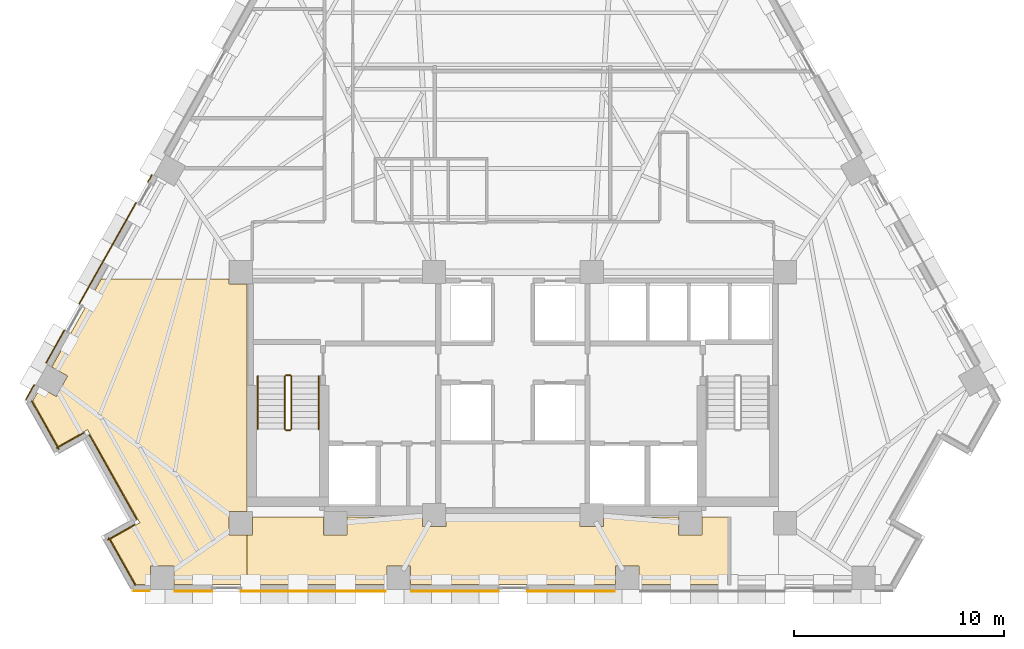
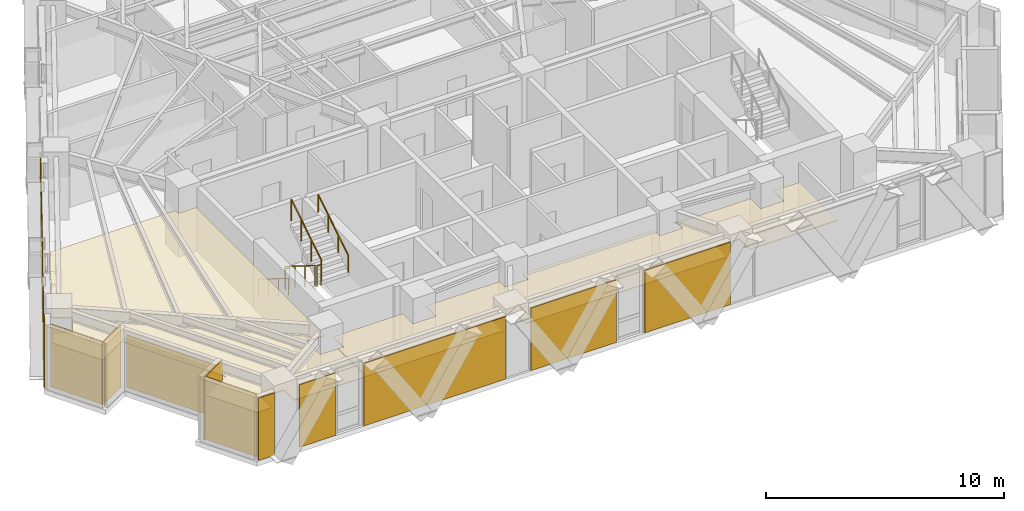
# One storey, part 10 of 13: 16 coverings, 6 railings.
"""IFC4 building model written with IfcOpenShell, lengths in metres."""

from ifc_helpers import new_model, si_unit, direction, frame, origin, origin_2d, place, context, subcontext, project, spatial, polyline, circle, outline, extrude, material, layer, layer_set, type_object, element, save


model = new_model("IFC4")

# Units and contexts
model_context = context("Model", 3, precision=1e-05, world=origin(), true_north=direction((0.0, 1.0)))
body_context = subcontext(model_context, "Body", "Model", "MODEL_VIEW")
ifc_project = project(units=[si_unit("LENGTHUNIT", "METRE"), si_unit("AREAUNIT", "SQUARE_METRE"), si_unit("VOLUMEUNIT", "CUBIC_METRE"), si_unit("PLANEANGLEUNIT", "RADIAN"), si_unit("MASSUNIT", "GRAM", prefix="KILO")], contexts=[model_context])

# Site, building, storey
site_placement = place(None, origin())
site = spatial("IfcSite", under=ifc_project, at=site_placement, CompositionType="ELEMENT")
building_placement = place(site_placement, origin())
building = spatial("IfcBuilding", under=site, at=building_placement, Name="Quenlor Broadcast Tower", CompositionType="ELEMENT")
storey_placement = place(building_placement, frame((0.0, 0.0, 119.5)))
storey = spatial("IfcBuildingStorey", under=building, at=storey_placement, Name="L32", CompositionType="ELEMENT", Elevation=119.5)

# Coverings
ifc_material_1 = material(Name="Acoustic Gypsum Board", Category="other")
ifc_layer_1 = layer(ifc_material_1, 0.0400390625)
ifc_layer_set_1 = layer_set([ifc_layer_1], Name="Broadcast Studio Spring Isolated Ceiling 40")
covering_type_1 = type_object("IfcCoveringType", Name="Broadcast Studio Spring Isolated Ceiling 40", PredefinedType="CEILING", material=ifc_layer_set_1)
covering_1_placement = place(storey_placement, frame((0.0, 0.0, 2.2099609375)))
element("IfcCovering", 1, at=covering_1_placement, inside=storey, type_object=covering_type_1, Name="L32 Acoustic Ceiling L32-36-2", PredefinedType="CEILING", context=body_context, shape_type="SweptSolid", body=[
    extrude(outline(polyline([(-22.49853515625, -10.290771484375), (-21.741943359375, -10.71630859375), (-21.19482421875, -9.74365234375), (-21.951416015625, -9.318115234375), (-19.58984375, -5.1201171875), (-13.508056640625, -5.1201171875), (-13.508056640625, -5.35791015625), (-12.64990234375, -5.35791015625), (-12.64990234375, -16.19189453125), (-13.508056640625, -16.19189453125), (-13.508056640625, -17.30810546875), (-12.64990234375, -17.30810546875), (-12.64990234375, -19.659912109375), (-16.134521484375, -19.659912109375), (-16.134521484375, -18.7919921875), (-17.25048828125, -18.7919921875), (-17.25048828125, -19.659912109375), (-17.9453125, -19.659912109375), (-19.15380859375, -17.510986328125), (-17.759521484375, -16.7265625), (-20.25, -12.299072265625), (-21.64453125, -13.08349609375), (-22.85693359375, -10.927978515625), (-22.49853515625, -10.290771484375)])), origin(), (0.0, 0.0, 1.0), 0.0400390625),
])
covering_2_placement = place(storey_placement, frame((0.0, 0.0, 2.2099609375)))
element("IfcCovering", 2, at=covering_2_placement, inside=storey, type_object=covering_type_1, Name="L32 Acoustic Ceiling L32-36-3", PredefinedType="CEILING", context=body_context, shape_type="SweptSolid", body=[
    extrude(outline(polyline([(-12.39208984375, -17.30810546875), (-12.39208984375, -16.449951171875), (-9.008056640625, -16.449951171875), (-9.008056640625, -17.30810546875), (-7.89208984375, -17.30810546875), (-7.89208984375, -16.449951171875), (-4.30810546875, -16.449951171875), (-4.30810546875, -16.907958984375), (-3.19189453125, -16.907958984375), (-3.19189453125, -16.449951171875), (3.19189453125, -16.449951171875), (3.19189453125, -16.907958984375), (4.30810546875, -16.907958984375), (4.30810546875, -16.449951171875), (7.89208984375, -16.449951171875), (7.89208984375, -17.30810546875), (9.008056640625, -17.30810546875), (9.008056640625, -16.449951171875), (10.2548828125, -16.449951171875), (10.2548828125, -19.659912109375), (6.001220703125, -19.659912109375), (6.001220703125, -18.7919921875), (4.88525390625, -18.7919921875), (4.88525390625, -19.659912109375), (-4.88525390625, -19.659912109375), (-4.88525390625, -18.7919921875), (-6.001220703125, -18.7919921875), (-6.001220703125, -19.659912109375), (-12.64990234375, -19.659912109375), (-12.64990234375, -17.30810546875), (-12.39208984375, -17.30810546875)])), origin(), (0.0, 0.0, 1.0), 0.0400390625),
])
ifc_material_2 = material(Name="Architectural Terracotta Ceramic", Category="masonry")
ifc_layer_2 = layer(ifc_material_2, 0.044921875)
ifc_layer_set_2 = layer_set([ifc_layer_2], Name="Fluted Terracotta Rainscreen Cladding Panel")
covering_type_2 = type_object("IfcCoveringType", Name="Fluted Terracotta Rainscreen Cladding Panel", PredefinedType="CLADDING", material=ifc_layer_set_2)
covering_3_placement = place(storey_placement, frame((0.0, 0.0, 0.02001953125)))
element("IfcCovering", 3, at=covering_3_placement, inside=storey, type_object=covering_type_2, Name="L32 Terracotta Rainscreen Cladding L32-SHD-SS1", PredefinedType="CLADDING", context=body_context, shape_type="SweptSolid", body=[
    extrude(outline(polyline([(-17.277587890625, -19.951904296875), (-18.053955078125, -19.951904296875), (-18.053955078125, -19.9970703125), (-17.277587890625, -19.9970703125), (-17.277587890625, -19.951904296875)])), origin(), (0.0, 0.0, 1.0), 3.2099609375),
])
covering_4_placement = place(storey_placement, frame((0.0, 0.0, 0.02001953125)))
element("IfcCovering", 4, at=covering_4_placement, inside=storey, type_object=covering_type_2, Name="L32 Terracotta Rainscreen Cladding L32-SC-SP1", PredefinedType="CLADDING", context=body_context, shape_type="SweptSolid", body=[
    extrude(outline(polyline([(-6.048095703125, -19.971923828125), (-12.94873046875, -19.971923828125), (-12.94873046875, -20.01708984375), (-6.048095703125, -20.01708984375), (-6.048095703125, -19.971923828125)])), origin(), (0.0, 0.0, 1.0), 3.2099609375),
])
covering_5_placement = place(storey_placement, frame((0.0, 0.0, 0.02001953125)))
element("IfcCovering", 5, at=covering_5_placement, inside=storey, type_object=covering_type_2, Name="L32 Terracotta Rainscreen Cladding L32-SC-SP2", PredefinedType="CLADDING", context=body_context, shape_type="SweptSolid", body=[
    extrude(outline(polyline([(-14.32177734375, -19.971923828125), (-16.08740234375, -19.971923828125), (-16.08740234375, -20.01708984375), (-14.32177734375, -20.01708984375), (-14.32177734375, -19.971923828125)])), origin(), (0.0, 0.0, 1.0), 3.2099609375),
])
covering_6_placement = place(storey_placement, frame((0.0, 0.0, 0.02001953125)))
element("IfcCovering", 6, at=covering_6_placement, inside=storey, type_object=covering_type_2, Name="L32 Terracotta Rainscreen Cladding L32-S-SP1", PredefinedType="CLADDING", context=body_context, shape_type="SweptSolid", body=[
    extrude(outline(polyline([(4.84326171875, -19.971923828125), (0.6865234375, -19.971923828125), (0.6865234375, -20.01708984375), (4.84326171875, -20.01708984375), (4.84326171875, -19.971923828125)])), origin(), (0.0, 0.0, 1.0), 3.2099609375),
])
covering_7_placement = place(storey_placement, frame((0.0, 0.0, 0.02001953125)))
element("IfcCovering", 7, at=covering_7_placement, inside=storey, type_object=covering_type_2, Name="L32 Terracotta Rainscreen Cladding L32-S-SP2", PredefinedType="CLADDING", context=body_context, shape_type="SweptSolid", body=[
    extrude(outline(polyline([(-0.6865234375, -19.971923828125), (-4.84326171875, -19.971923828125), (-4.84326171875, -20.01708984375), (-0.6865234375, -20.01708984375), (-0.6865234375, -19.971923828125)])), origin(), (0.0, 0.0, 1.0), 3.2099609375),
])
covering_8_placement = place(storey_placement, frame((0.0, 0.0, 0.02001953125)))
element("IfcCovering", 8, at=covering_8_placement, inside=storey, type_object=covering_type_2, Name="L32 Terracotta Rainscreen Cladding L32-SHD-NWS0", PredefinedType="CLADDING", context=body_context, shape_type="SweptSolid", body=[
    extrude(outline(polyline([(-23.160888671875, -10.873046875), (-22.76611328125, -10.171142578125), (-22.805419921875, -10.149169921875), (-23.2001953125, -10.85107421875), (-23.160888671875, -10.873046875)])), origin(), (0.0, 0.0, 1.0), 3.2099609375),
])
covering_9_placement = place(storey_placement, frame((0.0, 0.0, 0.02001953125)))
element("IfcCovering", 9, at=covering_9_placement, inside=storey, type_object=covering_type_2, Name="L32 Terracotta Rainscreen Cladding L32-NWA-SP1", PredefinedType="CLADDING", context=body_context, shape_type="SweptSolid", body=[
    extrude(outline(polyline([(-22.2001953125, -9.1240234375), (-21.325927734375, -7.56982421875), (-21.364990234375, -7.5478515625), (-22.239501953125, -9.10205078125), (-22.2001953125, -9.1240234375)])), origin(), (0.0, 0.0, 1.0), 3.2099609375),
])
covering_10_placement = place(storey_placement, frame((0.0, 0.0, 0.02001953125)))
element("IfcCovering", 10, at=covering_10_placement, inside=storey, type_object=covering_type_2, Name="L32 Terracotta Rainscreen Cladding L32-NWA-SP2", PredefinedType="CLADDING", context=body_context, shape_type="SweptSolid", body=[
    extrude(outline(polyline([(-20.62744140625, -6.328369140625), (-17.912841796875, -1.502197265625), (-17.951904296875, -1.47998046875), (-20.666748046875, -6.306396484375), (-20.62744140625, -6.328369140625)])), origin(), (0.0, 0.0, 1.0), 3.2099609375),
])
covering_11_placement = place(storey_placement, frame((0.0, 0.0, 0.02001953125)))
element("IfcCovering", 11, at=covering_11_placement, inside=storey, type_object=covering_type_2, Name="L32 Terracotta Rainscreen Cladding L32-NWA-SP3", PredefinedType="CLADDING", context=body_context, shape_type="SweptSolid", body=[
    extrude(outline(polyline([(-17.36474609375, -0.528076171875), (-17.168701171875, -0.179443359375), (-17.2080078125, -0.157470703125), (-17.404052734375, -0.506103515625), (-17.36474609375, -0.528076171875)])), origin(), (0.0, 0.0, 1.0), 3.2099609375),
])
covering_12_placement = place(storey_placement, frame((0.0, 0.0, 0.02001953125)))
element("IfcCovering", 12, at=covering_12_placement, inside=storey, type_object=covering_type_2, Name="L32 Terracotta Rainscreen Cladding L32-CNR-12", PredefinedType="CLADDING", context=body_context, shape_type="SweptSolid", body=[
    extrude(outline(polyline([(-22.931396484375, -10.93408203125), (-21.630126953125, -13.24755859375), (-21.591064453125, -13.2255859375), (-22.892333984375, -10.912109375), (-22.931396484375, -10.93408203125)])), origin(), (0.0, 0.0, 1.0), 3.2099609375),
])
covering_13_placement = place(storey_placement, frame((0.0, 0.0, 0.02001953125)))
element("IfcCovering", 13, at=covering_13_placement, inside=storey, type_object=covering_type_2, Name="L32 Terracotta Rainscreen Cladding L32-CNR-13", PredefinedType="CLADDING", context=body_context, shape_type="SweptSolid", body=[
    extrude(outline(polyline([(-21.70703125, -13.19677734375), (-20.399658203125, -12.461181640625), (-20.421630859375, -12.422119140625), (-21.72900390625, -13.157470703125), (-21.70703125, -13.19677734375)])), origin(), (0.0, 0.0, 1.0), 3.2099609375),
])
covering_14_placement = place(storey_placement, frame((0.0, 0.0, 0.02001953125)))
element("IfcCovering", 14, at=covering_14_placement, inside=storey, type_object=covering_type_2, Name="L32 Terracotta Rainscreen Cladding L32-CNR-14", PredefinedType="CLADDING", context=body_context, shape_type="SweptSolid", body=[
    extrude(outline(polyline([(-20.186767578125, -12.55029296875), (-17.921630859375, -16.576904296875), (-17.88232421875, -16.554931640625), (-20.1474609375, -12.5283203125), (-20.186767578125, -12.55029296875)])), origin(), (0.0, 0.0, 1.0), 2.681884765625),
])
covering_15_placement = place(storey_placement, frame((0.0, 0.0, 0.02001953125)))
element("IfcCovering", 15, at=covering_15_placement, inside=storey, type_object=covering_type_2, Name="L32 Terracotta Rainscreen Cladding L32-CNR-15", PredefinedType="CLADDING", context=body_context, shape_type="SweptSolid", body=[
    extrude(outline(polyline([(-18.010498046875, -16.789794921875), (-19.31787109375, -17.525390625), (-19.2958984375, -17.564697265625), (-17.988525390625, -16.8291015625), (-18.010498046875, -16.789794921875)])), origin(), (0.0, 0.0, 1.0), 3.2099609375),
])
covering_16_placement = place(storey_placement, frame((0.0, 0.0, 0.02001953125)))
element("IfcCovering", 16, at=covering_16_placement, inside=storey, type_object=covering_type_2, Name="L32 Terracotta Rainscreen Cladding L32-CNR-16", PredefinedType="CLADDING", context=body_context, shape_type="SweptSolid", body=[
    extrude(outline(polyline([(-19.26708984375, -17.448486328125), (-17.987060546875, -19.72412109375), (-17.947998046875, -19.7021484375), (-19.227783203125, -17.426513671875), (-19.26708984375, -17.448486328125)])), origin(), (0.0, 0.0, 1.0), 3.2099609375),
])

# Railings
ifc_material_3 = material(Name="Anodised Aluminium", Category="aluminium")
railing_type_1 = type_object("IfcRailingType", Name="Stainless Aluminium Wall Handrail 900", PredefinedType="HANDRAIL", material=ifc_material_3)
railing_1_placement = place(storey_placement, frame((-12.14990234375, -9.75, 0.175048828125)))
element("IfcRailing", 17, at=railing_1_placement, inside=storey, type_object=railing_type_1, Name="L32 ST-1 stair handrail 1", PredefinedType="HANDRAIL", context=body_context, shape_type="SweptSolid", body=[
    extrude(circle(Radius=0.02392578125, at=origin_2d()), frame((0.0, 0.0, 0.8759765625), z_axis=(0.0, -0.848007534815, 0.529984170421), x_axis=(1.0, 0.0, 0.0)), (0.0, 0.0, 1.0), 2.9716796875),
    extrude(circle(Radius=0.02099609375, at=origin_2d()), origin(), (0.0, 0.0, 1.0), 0.851806640625),
    extrude(circle(Radius=0.02099609375, at=origin_2d()), frame((0.0, -0.840087890625, 0.52490234375)), (0.0, 0.0, 1.0), 0.851806640625),
    extrude(circle(Radius=0.02099609375, at=origin_2d()), frame((0.0, -1.679931640625, 1.050048828125)), (0.0, 0.0, 1.0), 0.851806640625),
    extrude(circle(Radius=0.02099609375, at=origin_2d()), frame((0.0, -2.52001953125, 1.574951171875)), (0.0, 0.0, 1.0), 0.851806640625),
])
railing_2_placement = place(storey_placement, frame((-9.25, -12.27001953125, 1.925048828125)))
element("IfcRailing", 18, at=railing_2_placement, inside=storey, type_object=railing_type_1, Name="L32 ST-1 stair handrail 2", PredefinedType="HANDRAIL", context=body_context, shape_type="SweptSolid", body=[
    extrude(circle(Radius=0.02392578125, at=origin_2d()), frame((0.0, 0.0, 0.8759765625), z_axis=(0.0, 0.848007534815, 0.529984170421), x_axis=(-1.0, 0.0, 0.0)), (0.0, 0.0, 1.0), 2.9716796875),
    extrude(circle(Radius=0.02099609375, at=origin_2d()), origin(), (0.0, 0.0, 1.0), 0.851806640625),
    extrude(circle(Radius=0.02099609375, at=origin_2d()), frame((0.0, 0.840087890625, 0.52490234375)), (0.0, 0.0, 1.0), 0.851806640625),
    extrude(circle(Radius=0.02099609375, at=origin_2d()), frame((0.0, 1.679931640625, 1.050048828125)), (0.0, 0.0, 1.0), 0.851806640625),
    extrude(circle(Radius=0.02099609375, at=origin_2d()), frame((0.0, 2.52001953125, 1.574951171875)), (0.0, 0.0, 1.0), 0.851806640625),
])
ifc_material_4 = material(Name="Steel S355", Category="steel")
railing_type_2 = type_object("IfcRailingType", Name="Tubular Steel S355 Stair Guardrail 1100", PredefinedType="BALUSTRADE", material=ifc_material_4)
railing_3_placement = place(storey_placement, frame((-10.85009765625, -9.75, 0.175048828125)))
element("IfcRailing", 19, at=railing_3_placement, inside=storey, type_object=railing_type_2, Name="L32 ST-1 stair guard 1", PredefinedType="BALUSTRADE", context=body_context, shape_type="SweptSolid", body=[
    extrude(circle(Radius=0.02392578125, at=origin_2d()), frame((0.0, 0.0, 1.076171875), z_axis=(0.0, -0.848007534815, 0.529984170421), x_axis=(1.0, 0.0, 0.0)), (0.0, 0.0, 1.0), 2.9716796875),
    extrude(circle(Radius=0.02099609375, at=origin_2d()), origin(), (0.0, 0.0, 1.0), 1.052001953125),
    extrude(circle(Radius=0.02099609375, at=origin_2d()), frame((0.0, -0.840087890625, 0.52490234375)), (0.0, 0.0, 1.0), 1.052001953125),
    extrude(circle(Radius=0.02099609375, at=origin_2d()), frame((0.0, -1.679931640625, 1.050048828125)), (0.0, 0.0, 1.0), 1.052001953125),
    extrude(circle(Radius=0.02099609375, at=origin_2d()), frame((0.0, -2.52001953125, 1.574951171875)), (0.0, 0.0, 1.0), 1.052001953125),
])
railing_4_placement = place(storey_placement, frame((-10.800048828125, -12.320068359375, 1.75)))
element("IfcRailing", 20, at=railing_4_placement, inside=storey, type_object=railing_type_2, Name="L32 ST-1 stair guard 2", PredefinedType="BALUSTRADE", context=body_context, shape_type="SweptSolid", body=[
    extrude(circle(Radius=0.02392578125, at=origin_2d()), frame((0.0, 0.0, 1.076171875), z_axis=(1.0, 0.0, 0.0), x_axis=(0.0, 1.0, 0.0)), (0.0, 0.0, 1.0), 0.199951171875),
    extrude(circle(Radius=0.02099609375, at=origin_2d()), origin(), (0.0, 0.0, 1.0), 1.052001953125),
    extrude(circle(Radius=0.02099609375, at=origin_2d()), frame((0.199951171875, 0.0, 0.0)), (0.0, 0.0, 1.0), 1.052001953125),
])
railing_5_placement = place(storey_placement, frame((-10.550048828125, -12.27001953125, 1.925048828125)))
element("IfcRailing", 21, at=railing_5_placement, inside=storey, type_object=railing_type_2, Name="L32 ST-1 stair guard 3", PredefinedType="BALUSTRADE", context=body_context, shape_type="SweptSolid", body=[
    extrude(circle(Radius=0.02392578125, at=origin_2d()), frame((0.0, 0.0, 1.076171875), z_axis=(0.0, 0.848007534815, 0.529984170421), x_axis=(-1.0, 0.0, 0.0)), (0.0, 0.0, 1.0), 2.9716796875),
    extrude(circle(Radius=0.02099609375, at=origin_2d()), origin(), (0.0, 0.0, 1.0), 1.052001953125),
    extrude(circle(Radius=0.02099609375, at=origin_2d()), frame((0.0, 0.840087890625, 0.52490234375)), (0.0, 0.0, 1.0), 1.052001953125),
    extrude(circle(Radius=0.02099609375, at=origin_2d()), frame((0.0, 1.679931640625, 1.050048828125)), (0.0, 0.0, 1.0), 1.052001953125),
    extrude(circle(Radius=0.02099609375, at=origin_2d()), frame((0.0, 2.52001953125, 1.574951171875)), (0.0, 0.0, 1.0), 1.052001953125),
])
railing_6_placement = place(storey_placement, frame((-10.800048828125, -9.699951171875, 0.0)))
element("IfcRailing", 22, at=railing_6_placement, inside=storey, type_object=railing_type_2, Name="L32 ST-1 stair guard 4", PredefinedType="BALUSTRADE", context=body_context, shape_type="SweptSolid", body=[
    extrude(circle(Radius=0.02392578125, at=origin_2d()), frame((0.0, 0.0, 1.076171875), z_axis=(1.0, 0.0, 0.0), x_axis=(0.0, 1.0, 0.0)), (0.0, 0.0, 1.0), 0.199951171875),
    extrude(circle(Radius=0.02099609375, at=origin_2d()), origin(), (0.0, 0.0, 1.0), 1.052001953125),
    extrude(circle(Radius=0.02099609375, at=origin_2d()), frame((0.199951171875, 0.0, 0.0)), (0.0, 0.0, 1.0), 1.052001953125),
])

save(model, "model.ifc")
